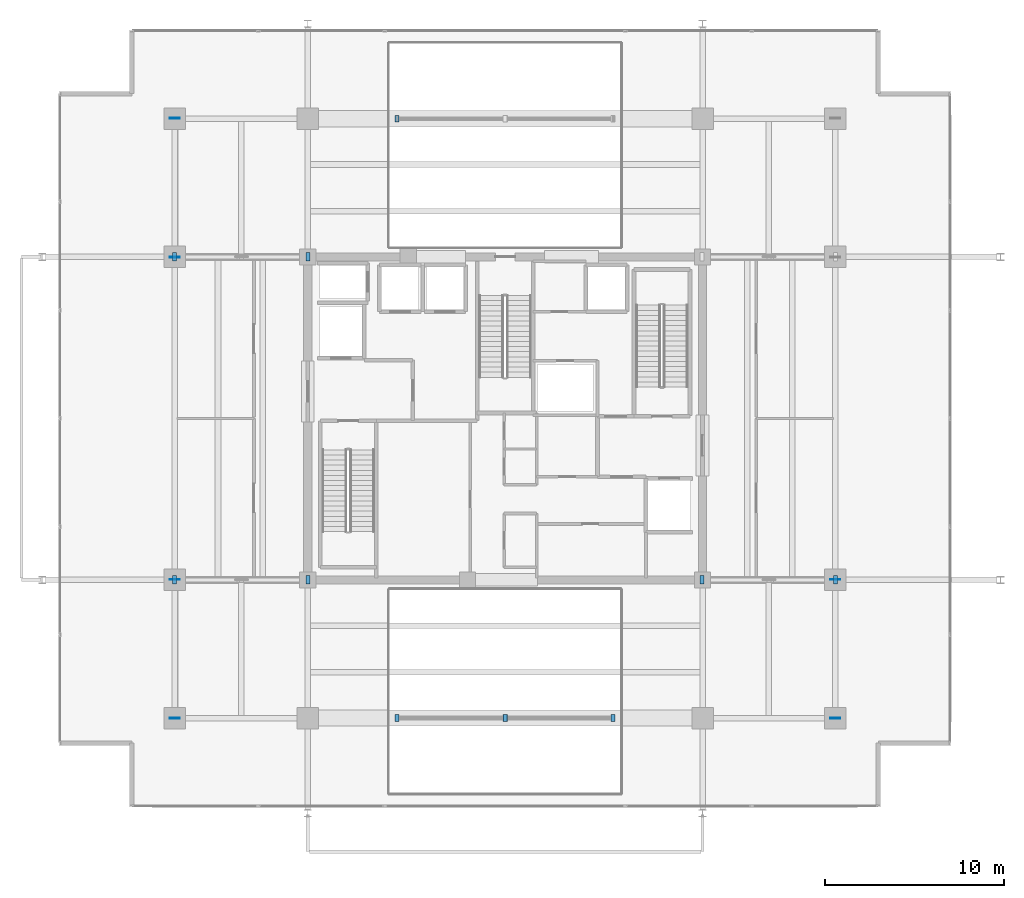
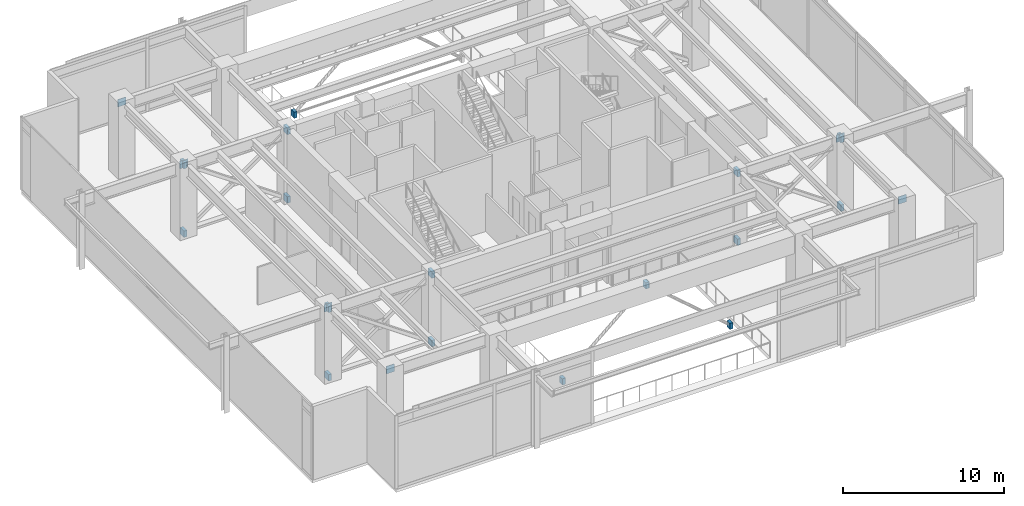
# One storey, part 20 of 26: 23 plates.
"""IFC4 building model written with IfcOpenShell, lengths in metres."""

from ifc_helpers import new_model, si_unit, direction, frame, origin, origin_2d, place, context, subcontext, project, spatial, rectangle, extrude, material, layer, layer_set, type_object, element, save


model = new_model("IFC4")

# Units and contexts
model_context = context("Model", 3, precision=1e-05, world=origin(), true_north=direction((0.0, 1.0)))
body_context = subcontext(model_context, "Body", "Model", "MODEL_VIEW")
ifc_project = project(units=[si_unit("LENGTHUNIT", "METRE"), si_unit("AREAUNIT", "SQUARE_METRE"), si_unit("VOLUMEUNIT", "CUBIC_METRE"), si_unit("PLANEANGLEUNIT", "RADIAN"), si_unit("MASSUNIT", "GRAM", prefix="KILO")], contexts=[model_context])

# Site, building, storey
site_placement = place(None, origin())
site = spatial("IfcSite", under=ifc_project, at=site_placement, CompositionType="ELEMENT")
building_placement = place(site_placement, origin())
building = spatial("IfcBuilding", under=site, at=building_placement, Name="Kovane Verandah Tower", CompositionType="ELEMENT")
storey_placement = place(building_placement, frame((0.0, 0.0, 301.0)))
storey = spatial("IfcBuildingStorey", under=building, at=storey_placement, Name="L70", CompositionType="ELEMENT", Elevation=301.0)

# Plates
ifc_material = material(Name="Steel S460", Category="steel")
ifc_layer = layer(ifc_material, 0.050048828125)
ifc_layer_set = layer_set([ifc_layer], Name="Steel S460")
plate_type = type_object("IfcPlateType", Name="PL-CAP-50", PredefinedType="SHEET", material=ifc_layer_set)
for number, where, z_axis, x_axis, name in (
    (1, (29.016357421875, 18.5, -0.131591796875), (0.0, 0.0, 1.0), (-1.0, 0.0, 0.0), "OT-D1-OW1-L70-P0"),
    (2, (21.58349609375, 18.5, 5.076416015625), (0.0, 0.0, 1.0), (-1.0, 0.0, 0.0), "OT-D1-OW1-L70-P1"),
    (3, (21.58349609375, 18.5, -0.131591796875), (0.0, 0.0, 1.0), (1.0, 0.0, 0.0), "OT-D2A-OW1-L70-P0"),
    (4, (29.016357421875, 18.5, 5.076416015625), (0.0, 0.0, 1.0), (1.0, 0.0, 0.0), "OT-D2B-OW1-L70-P1"),
    (5, (29.016357421875, 36.5, -0.131591796875), (0.0, 0.0, 1.0), (-1.0, 0.0, 0.0), "OT-D1-OW2-L70-P0"),
    (6, (21.58349609375, 36.5, 5.076416015625), (0.0, 0.0, 1.0), (-1.0, 0.0, 0.0), "OT-D1-OW2-L70-P1"),
    (7, (21.58349609375, 36.5, -0.131591796875), (0.0, 0.0, 1.0), (1.0, 0.0, 0.0), "OT-D2A-OW2-L70-P0"),
    (8, (29.016357421875, 36.5, 5.076416015625), (0.0, 0.0, 1.0), (1.0, 0.0, 0.0), "OT-D2B-OW2-L70-P1"),
    (9, (50.983642578125, 18.5, -0.131591796875), (0.0, 0.0, 1.0), (1.0, 0.0, 0.0), "OT-D1-OE1-L70-P0"),
    (10, (58.41650390625, 18.5, 5.076416015625), (0.0, 0.0, 1.0), (1.0, 0.0, 0.0), "OT-D1-OE1-L70-P1"),
    (11, (58.41650390625, 18.5, -0.131591796875), (0.0, 0.0, 1.0), (-1.0, 0.0, 0.0), "OT-D2A-OE1-L70-P0"),
    (12, (50.983642578125, 18.5, 5.076416015625), (0.0, 0.0, 1.0), (-1.0, 0.0, 0.0), "OT-D2B-OE1-L70-P1"),
):
    element("IfcPlate", number, at=place(storey_placement, frame(where, z_axis=z_axis, x_axis=x_axis)), inside=storey, type_object=plate_type, Name=name, PredefinedType="SHEET", context=body_context, shape_type="SweptSolid", body=[
        extrude(rectangle(XDim=0.219970703125, YDim=0.47998046875, at=origin_2d()), origin(), (0.0, 0.0, 1.0), 0.47998046875),
    ])
for number, where, z_axis, x_axis, name in (
    (13, (21.60009765625, 10.780029296875, 5.02490234375), (0.0, 0.0, 1.0), (0.0, 1.0, 0.0), "BT-CH-BW1-L70-P0"),
    (14, (21.60009765625, 18.52001953125, 5.02490234375), (0.0, 0.0, 1.0), (0.0, 1.0, 0.0), "BT-CH-BW1-L70-P1"),
    (15, (21.60009765625, 36.47998046875, 5.02490234375), (0.0, 0.0, 1.0), (0.0, 1.0, 0.0), "BT-CH-BW2-L70-P0"),
    (16, (21.60009765625, 44.219970703125, 5.02490234375), (0.0, 0.0, 1.0), (0.0, 1.0, 0.0), "BT-CH-BW2-L70-P1"),
    (17, (58.39990234375, 10.780029296875, 5.02490234375), (0.0, 0.0, 1.0), (0.0, 1.0, 0.0), "BT-CH-BE1-L70-P0"),
    (18, (58.39990234375, 18.52001953125, 5.02490234375), (0.0, 0.0, 1.0), (0.0, 1.0, 0.0), "BT-CH-BE1-L70-P1"),
):
    element("IfcPlate", number, at=place(storey_placement, frame(where, z_axis=z_axis, x_axis=x_axis)), inside=storey, type_object=plate_type, Name=name, PredefinedType="SHEET", context=body_context, shape_type="SweptSolid", body=[
        extrude(rectangle(XDim=0.050048828125, YDim=0.56005859375, at=origin_2d()), origin(), (0.0, 0.0, 1.0), 0.56005859375),
    ])
for number, where, z_axis, x_axis, name in (
    (19, (33.98486328125, 44.199951171875, -0.123046875), (0.0, 0.0, 1.0), (1.0, 0.0, 0.0), "WP-ST1A-L70-P0"),
    (20, (33.98486328125, 10.800048828125, -0.123046875), (0.0, 0.0, 1.0), (1.0, 0.0, 0.0), "WP-ST2A-L70-P0"),
    (21, (40.01513671875, 10.800048828125, 5.068115234375), (0.0, 0.0, 1.0), (1.0, 0.0, 0.0), "WP-ST2A-L70-P1"),
    (22, (46.01513671875, 10.800048828125, -0.123046875), (0.0, 0.0, 1.0), (-1.0, 0.0, 0.0), "WP-ST2B-L70-P0"),
    (23, (39.98486328125, 10.800048828125, 5.068115234375), (0.0, 0.0, 1.0), (-1.0, 0.0, 0.0), "WP-ST2B-L70-P1"),
):
    element("IfcPlate", number, at=place(storey_placement, frame(where, z_axis=z_axis, x_axis=x_axis)), inside=storey, type_object=plate_type, Name=name, PredefinedType="SHEET", context=body_context, shape_type="SweptSolid", body=[
        extrude(rectangle(XDim=0.219970703125, YDim=0.3798828125, at=origin_2d()), origin(), (0.0, 0.0, 1.0), 0.4599609375),
    ])

save(model, "model.ifc")
